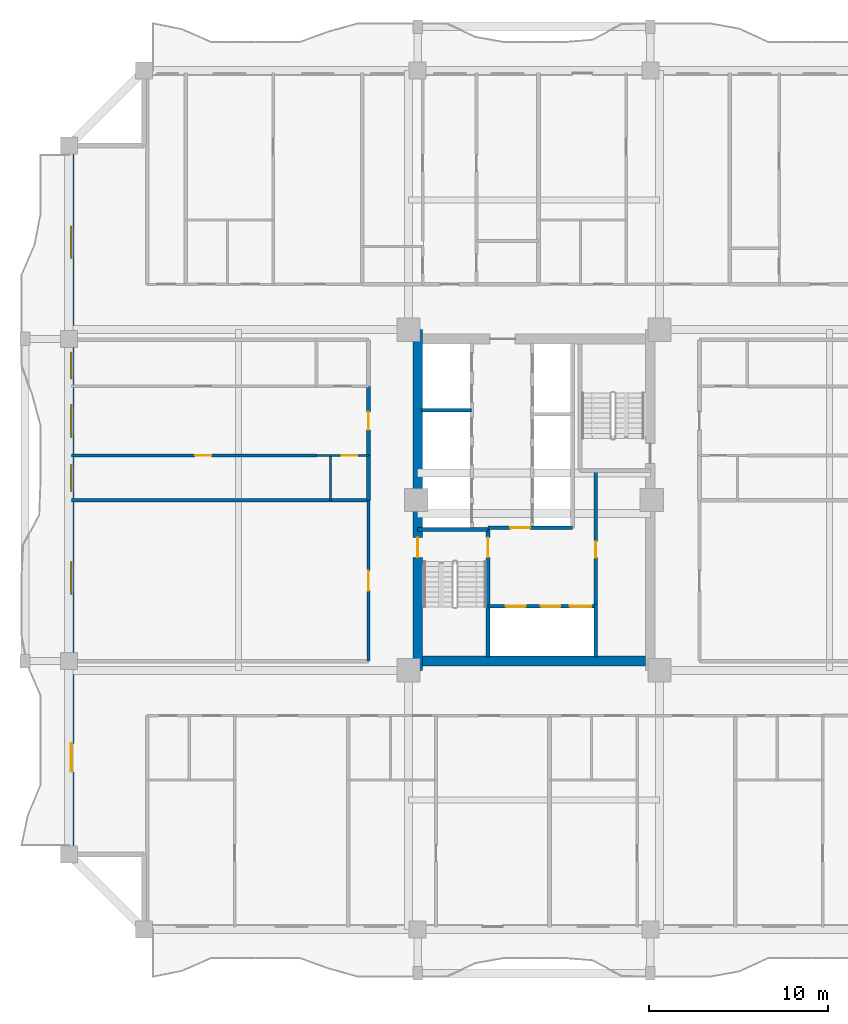
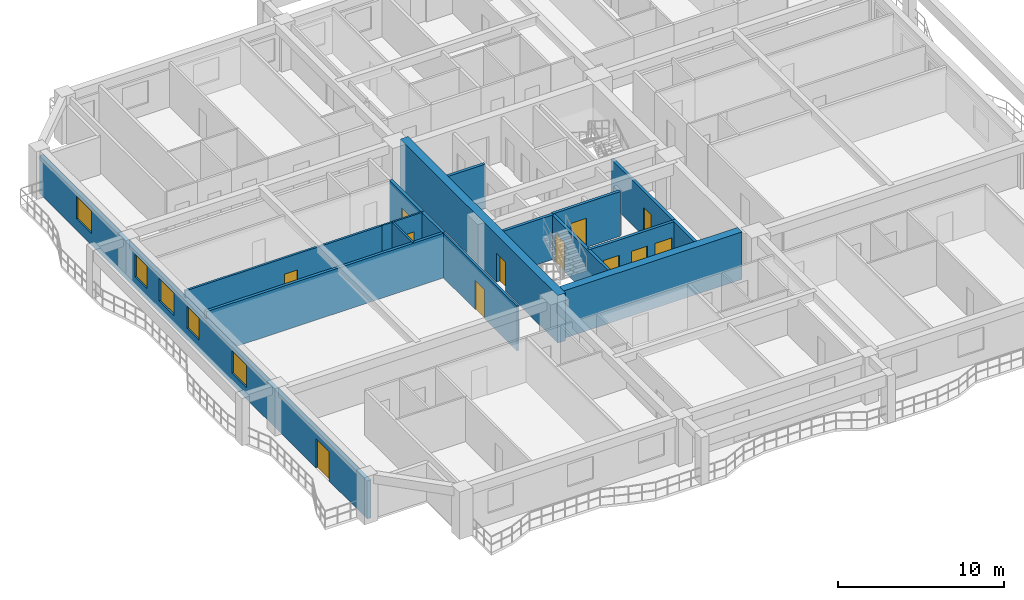
# One storey, part 3 of 17: 18 walls, 12 doors, 5 windows, 17 openings.
"""IFC4 building model written with IfcOpenShell, lengths in metres."""

from ifc_helpers import new_model, si_unit, direction, frame, frame_2d, origin, place, context, subcontext, project, spatial, rectangle, extrude, source, transform, mapped, material, layer, layer_set, type_object, element, fill, save


model = new_model("IFC4")

# Units and contexts
model_context = context("Model", 3, precision=1e-05, world=origin(), true_north=direction((0.0, 1.0)))
body_context = subcontext(model_context, "Body", "Model", "MODEL_VIEW")
ifc_project = project(units=[si_unit("LENGTHUNIT", "METRE"), si_unit("AREAUNIT", "SQUARE_METRE"), si_unit("VOLUMEUNIT", "CUBIC_METRE"), si_unit("PLANEANGLEUNIT", "RADIAN"), si_unit("MASSUNIT", "GRAM", prefix="KILO")], contexts=[model_context])

# Site, building, storey
site_placement = place(None, origin())
site = spatial("IfcSite", under=ifc_project, at=site_placement, CompositionType="ELEMENT")
building_placement = place(site_placement, origin())
building = spatial("IfcBuilding", under=site, at=building_placement, Name="Saelheon Loggia Tower", CompositionType="ELEMENT")
storey_placement = place(building_placement, frame((0.0, 0.0, 74.35009765625)))
storey = spatial("IfcBuildingStorey", under=building, at=storey_placement, Name="L23", CompositionType="ELEMENT", Elevation=74.35009765625)

# Wall, opening, door
ifc_material_1 = material(Name="Concrete C50/60", Category="concrete")
ifc_layer_1 = layer(ifc_material_1, 0.550048828125)
ifc_layer_set_1 = layer_set([ifc_layer_1], Name="Concrete C50/60")
wall_type_1 = type_object("IfcWallType", Name="Wall_CoreShear_550", PredefinedType="SHEAR", material=ifc_layer_set_1)
wall_1_placement = place(storey_placement, frame((31.5, 17.47998046875, 0.0), z_axis=(0.0, 0.0, 1.0), x_axis=(0.0, 1.0, 0.0)))
wall_1 = element("IfcWall", 1, at=wall_1_placement, inside=storey, type_object=wall_type_1, Name="L23 Core Shear Wall West", PredefinedType="SHEAR", context=body_context, shape_type="SweptSolid", body=[
    extrude(rectangle(XDim=19.0400390625, YDim=0.550048828125, at=frame_2d((9.52001953125, 0.0))), origin(), (0.0, 0.0, 1.0), 3.5),
])
opening_1_placement = place(wall_1_placement, frame((6.320068359375, 0.0, 0.0)))
opening_1 = element("IfcOpeningElement", 2, at=opening_1_placement, cuts=wall_1, Name="Opening D-FD2", PredefinedType="OPENING", context=body_context, shape_type="SweptSolid", body=[
    extrude(rectangle(XDim=1.10009765625, YDim=2.14990234375, at=frame_2d((0.550048828125, 1.074951171875))), frame((0.0, 0.287109375, 0.0), z_axis=(0.0, -1.0, 0.0), x_axis=(1.0, 0.0, 0.0)), (0.0, 0.0, 1.0), 0.573974609375),
])
ifc_material_2 = material(Name="Galvanised Steel Fire Door", Category="steel")
door_type_1 = type_object("IfcDoorType", Name="Door_Fire_FD60_1100", OperationType="NOTDEFINED", PredefinedType="DOOR", material=ifc_material_2)
shared_shape_1 = source(origin(), body_context, "Body", "SweptSolid", [
    extrude(rectangle(XDim=1.10009765625, YDim=2.14990234375, at=frame_2d((0.550048828125, 1.074951171875))), frame((0.0, 0.02490234375, 0.0), z_axis=(0.0, -1.0, 0.0), x_axis=(1.0, 0.0, 0.0)), (0.0, 0.0, 1.0), 0.050048828125),
])
door_1_placement = place(opening_1_placement, origin())
door_1 = element("IfcDoor", 3, at=door_1_placement, inside=storey, type_object=door_type_1, Name="L23 Stair ST1 Corridor Door", OperationType="SINGLE_SWING_LEFT", OverallHeight=2.14990234375, OverallWidth=1.10009765625, PredefinedType="DOOR", context=body_context, shape_type="MappedRepresentation", body=[
    mapped(shared_shape_1, transform((0.0, 0.0, 0.0), scale=1.0)),
])
fill(opening_1, door_1)

# Wall
wall_2_placement = place(storey_placement, frame((31.77490234375, 18.0, 0.0), z_axis=(0.0, 0.0, 1.0), x_axis=(1.0, 0.0, 0.0)))
element("IfcWall", 4, at=wall_2_placement, inside=storey, type_object=wall_type_1, Name="L23 Core Shear Wall South", PredefinedType="SHEAR", context=body_context, shape_type="SweptSolid", body=[
    extrude(rectangle(XDim=12.4501953125, YDim=0.550048828125, at=frame_2d((6.22509765625, 0.0))), origin(), (0.0, 0.0, 1.0), 3.5),
])

# Wall, openings, windows, door
ifc_material_3 = material(Name="Architectural Precast Concrete C40/50", Category="concrete")
ifc_layer_2 = layer(ifc_material_3, 0.280029296875)
ifc_layer_set_2 = layer_set([ifc_layer_2], Name="Architectural Precast Concrete C40/50")
wall_type_2 = type_object("IfcWallType", Name="Wall_Ext_Loggia_280", PredefinedType="SOLIDWALL", material=ifc_layer_set_2)
wall_3_placement = place(storey_placement, frame((12.139892578125, 7.199951171875, 0.0), z_axis=(0.0, 0.0, 1.0), x_axis=(0.0, 1.0, 0.0)))
wall_3 = element("IfcWall", 5, at=wall_3_placement, inside=storey, type_object=wall_type_2, Name="L23 West Loggia Inner Wall", PredefinedType="SOLIDWALL", context=body_context, shape_type="SweptSolid", body=[
    extrude(rectangle(XDim=39.60009765625, YDim=0.280029296875, at=frame_2d((19.800048828125, 0.0))), origin(), (0.0, 0.0, 1.0), 2.77978515625),
])
opening_2_placement = place(wall_3_placement, frame((4.60009765625, 0.0, 0.0)))
opening_2 = element("IfcOpeningElement", 6, at=opening_2_placement, cuts=wall_3, Name="Opening DLG-1", PredefinedType="OPENING", context=body_context, shape_type="SweptSolid", body=[
    extrude(rectangle(XDim=1.60009765625, YDim=2.14990234375, at=frame_2d((0.800048828125, 1.074951171875))), frame((0.0, 0.152099609375, 0.0), z_axis=(0.0, -1.0, 0.0), x_axis=(1.0, 0.0, 0.0)), (0.0, 0.0, 1.0), 0.303955078125),
])
opening_3_placement = place(wall_3_placement, frame((14.544921875, 0.0, 0.85009765625)))
opening_3 = element("IfcOpeningElement", 7, at=opening_3_placement, cuts=wall_3, Name="Opening WN-01", PredefinedType="OPENING", context=body_context, shape_type="SweptSolid", body=[
    extrude(rectangle(XDim=1.800048828125, YDim=1.64990234375, at=frame_2d((0.89990234375, 0.824951171875))), frame((0.0, 0.152099609375, 0.0), z_axis=(0.0, -1.0, 0.0), x_axis=(1.0, 0.0, 0.0)), (0.0, 0.0, 1.0), 0.303955078125),
])
opening_4_placement = place(wall_3_placement, frame((20.281494140625, 0.0, 0.85009765625)))
opening_4 = element("IfcOpeningElement", 8, at=opening_4_placement, cuts=wall_3, Name="Opening WN-02", PredefinedType="OPENING", context=body_context, shape_type="SweptSolid", body=[
    extrude(rectangle(XDim=1.5, YDim=1.64990234375, at=frame_2d((0.75, 0.824951171875))), frame((0.0, 0.152099609375, 0.0), z_axis=(0.0, -1.0, 0.0), x_axis=(1.0, 0.0, 0.0)), (0.0, 0.0, 1.0), 0.303955078125),
])
opening_5_placement = place(wall_3_placement, frame((23.319091796875, 0.0, 0.85009765625)))
opening_5 = element("IfcOpeningElement", 9, at=opening_5_placement, cuts=wall_3, Name="Opening WN-01", PredefinedType="OPENING", context=body_context, shape_type="SweptSolid", body=[
    extrude(rectangle(XDim=1.800048828125, YDim=1.64990234375, at=frame_2d((0.89990234375, 0.824951171875))), frame((0.0, 0.152099609375, 0.0), z_axis=(0.0, -1.0, 0.0), x_axis=(1.0, 0.0, 0.0)), (0.0, 0.0, 1.0), 0.303955078125),
])
opening_6_placement = place(wall_3_placement, frame((26.5673828125, 0.0, 0.85009765625)))
opening_6 = element("IfcOpeningElement", 10, at=opening_6_placement, cuts=wall_3, Name="Opening WN-02", PredefinedType="OPENING", context=body_context, shape_type="SweptSolid", body=[
    extrude(rectangle(XDim=1.5, YDim=1.64990234375, at=frame_2d((0.75, 0.824951171875))), frame((0.0, 0.152099609375, 0.0), z_axis=(0.0, -1.0, 0.0), x_axis=(1.0, 0.0, 0.0)), (0.0, 0.0, 1.0), 0.303955078125),
])
opening_7_placement = place(wall_3_placement, frame((33.300048828125, 0.0, 0.85009765625)))
opening_7 = element("IfcOpeningElement", 11, at=opening_7_placement, cuts=wall_3, Name="Opening WN-01", PredefinedType="OPENING", context=body_context, shape_type="SweptSolid", body=[
    extrude(rectangle(XDim=1.800048828125, YDim=1.64990234375, at=frame_2d((0.89990234375, 0.824951171875))), frame((0.0, 0.152099609375, 0.0), z_axis=(0.0, -1.0, 0.0), x_axis=(1.0, 0.0, 0.0)), (0.0, 0.0, 1.0), 0.303955078125),
])
ifc_material_4 = material(Name="Thermal-Break Aluminium and Triple Low-E Glass", Category="aluminium")
window_type_1 = type_object("IfcWindowType", Name="Win_Dwelling_1800x1650", PartitioningType="SINGLE_PANEL", PredefinedType="WINDOW", material=ifc_material_4)
shared_shape_2 = source(origin(), body_context, "Body", "SweptSolid", [
    extrude(rectangle(XDim=1.800048828125, YDim=1.64990234375, at=frame_2d((0.89990234375, 0.824951171875))), frame((0.0, 0.030029296875, 0.0), z_axis=(0.0, -1.0, 0.0), x_axis=(1.0, 0.0, 0.0)), (0.0, 0.0, 1.0), 0.06005859375),
])
window_1_placement = place(opening_3_placement, origin())
window_1 = element("IfcWindow", 12, at=window_1_placement, inside=storey, type_object=window_type_1, Name="L23 W Dwelling Window 2", OverallHeight=1.64990234375, OverallWidth=1.800048828125, PartitioningType="SINGLE_PANEL", PredefinedType="WINDOW", context=body_context, shape_type="MappedRepresentation", body=[
    mapped(shared_shape_2, transform((0.0, 0.0, 0.0), scale=1.0)),
])
fill(opening_3, window_1)
window_2_placement = place(opening_5_placement, origin())
window_2 = element("IfcWindow", 13, at=window_2_placement, inside=storey, type_object=window_type_1, Name="L23 W Dwelling Window 4", OverallHeight=1.64990234375, OverallWidth=1.800048828125, PartitioningType="SINGLE_PANEL", PredefinedType="WINDOW", context=body_context, shape_type="MappedRepresentation", body=[
    mapped(shared_shape_2, transform((0.0, 0.0, 0.0), scale=1.0)),
])
fill(opening_5, window_2)
window_3_placement = place(opening_7_placement, origin())
window_3 = element("IfcWindow", 14, at=window_3_placement, inside=storey, type_object=window_type_1, Name="L23 W Dwelling Window 6", OverallHeight=1.64990234375, OverallWidth=1.800048828125, PartitioningType="SINGLE_PANEL", PredefinedType="WINDOW", context=body_context, shape_type="MappedRepresentation", body=[
    mapped(shared_shape_2, transform((0.0, 0.0, 0.0), scale=1.0)),
])
fill(opening_7, window_3)
ifc_material_5 = material(Name="Thermal-Break Aluminium Sliding Glazed Door", Category="aluminium")
door_type_2 = type_object("IfcDoorType", Name="Door_LoggiaSlide_1600", OperationType="SLIDING_TO_LEFT", PredefinedType="DOOR", material=ifc_material_5)
shared_shape_3 = source(origin(), body_context, "Body", "SweptSolid", [
    extrude(rectangle(XDim=1.60009765625, YDim=2.14990234375, at=frame_2d((0.800048828125, 1.074951171875))), frame((0.0, 0.02490234375, 0.0), z_axis=(0.0, -1.0, 0.0), x_axis=(1.0, 0.0, 0.0)), (0.0, 0.0, 1.0), 0.050048828125),
])
door_2_placement = place(opening_2_placement, origin())
door_2 = element("IfcDoor", 15, at=door_2_placement, inside=storey, type_object=door_type_2, Name="L23 W Loggia Access Door", OperationType="SLIDING_TO_LEFT", OverallHeight=2.14990234375, OverallWidth=1.60009765625, PredefinedType="DOOR", context=body_context, shape_type="MappedRepresentation", body=[
    mapped(shared_shape_3, transform((0.0, 0.0, 0.0), scale=1.0)),
])
fill(opening_2, door_2)
window_type_2 = type_object("IfcWindowType", Name="Win_Dwelling_1500x1650", PartitioningType="SINGLE_PANEL", PredefinedType="WINDOW", material=ifc_material_4)
shared_shape_4 = source(origin(), body_context, "Body", "SweptSolid", [
    extrude(rectangle(XDim=1.5, YDim=1.64990234375, at=frame_2d((0.75, 0.824951171875))), frame((0.0, 0.030029296875, 0.0), z_axis=(0.0, -1.0, 0.0), x_axis=(1.0, 0.0, 0.0)), (0.0, 0.0, 1.0), 0.06005859375),
])
window_4_placement = place(opening_4_placement, origin())
window_4 = element("IfcWindow", 16, at=window_4_placement, inside=storey, type_object=window_type_2, Name="L23 W Dwelling Window 3", OverallHeight=1.64990234375, OverallWidth=1.5, PartitioningType="SINGLE_PANEL", PredefinedType="WINDOW", context=body_context, shape_type="MappedRepresentation", body=[
    mapped(shared_shape_4, transform((0.0, 0.0, 0.0), scale=1.0)),
])
fill(opening_4, window_4)
window_5_placement = place(opening_6_placement, origin())
window_5 = element("IfcWindow", 17, at=window_5_placement, inside=storey, type_object=window_type_2, Name="L23 W Dwelling Window 5", OverallHeight=1.64990234375, OverallWidth=1.5, PartitioningType="SINGLE_PANEL", PredefinedType="WINDOW", context=body_context, shape_type="MappedRepresentation", body=[
    mapped(shared_shape_4, transform((0.0, 0.0, 0.0), scale=1.0)),
])
fill(opening_6, window_5)

# Wall, opening, door
ifc_material_6 = material(Name="Lightweight Autoclaved Aerated Concrete Block and Acoustic Gypsum", Category="concrete")
ifc_layer_3 = layer(ifc_material_6, 0.14990234375)
ifc_layer_set_3 = layer_set([ifc_layer_3], Name="Lightweight Autoclaved Aerated Concrete Block and Acoustic Gypsum")
wall_type_3 = type_object("IfcWallType", Name="Wall_Part_150", PredefinedType="PARTITIONING", material=ifc_layer_set_3)
wall_4_placement = place(storey_placement, frame((28.75, 18.0, 0.0), z_axis=(0.0, 0.0, 1.0), x_axis=(0.0, 1.0, 0.0)))
wall_4 = element("IfcWall", 18, at=wall_4_placement, inside=storey, type_object=wall_type_3, Name="L23 W Partition V03", PredefinedType="PARTITIONING", context=body_context, shape_type="SweptSolid", body=[
    extrude(rectangle(XDim=8.97509765625, YDim=0.14990234375, at=frame_2d((4.487548828125, 0.0))), origin(), (0.0, 0.0, 1.0), 3.289794921875),
])
opening_8_placement = place(wall_4_placement, frame((3.9375, 0.0, 0.0)))
opening_8 = element("IfcOpeningElement", 19, at=opening_8_placement, cuts=wall_4, Name="Opening D-FD2", PredefinedType="OPENING", context=body_context, shape_type="SweptSolid", body=[
    extrude(rectangle(XDim=1.10009765625, YDim=2.14990234375, at=frame_2d((0.550048828125, 1.074951171875))), frame((0.0, 0.0869140625, 0.0), z_axis=(0.0, -1.0, 0.0), x_axis=(1.0, 0.0, 0.0)), (0.0, 0.0, 1.0), 0.173828125),
])
door_3_placement = place(opening_8_placement, origin())
door_3 = element("IfcDoor", 20, at=door_3_placement, inside=storey, type_object=door_type_1, Name="L23 Resident Fitness Gymnasium Door A", OperationType="SINGLE_SWING_LEFT", OverallHeight=2.14990234375, OverallWidth=1.10009765625, PredefinedType="DOOR", context=body_context, shape_type="MappedRepresentation", body=[
    mapped(shared_shape_1, transform((0.0, 0.0, 0.0), scale=1.0)),
])
fill(opening_8, door_3)

wall_5_placement = place(storey_placement, frame((25.85009765625, 29.488037109375, 0.0), z_axis=(0.0, 0.0, 1.0), x_axis=(-1.0, 0.0, 0.0)))
wall_5 = element("IfcWall", 21, at=wall_5_placement, inside=storey, type_object=wall_type_3, Name="L23 W Partition U12", PredefinedType="PARTITIONING", context=body_context, shape_type="SweptSolid", body=[
    extrude(rectangle(XDim=13.7001953125, YDim=0.14990234375, at=frame_2d((6.85009765625, 0.0))), origin(), (0.0, 0.0, 1.0), 3.289794921875),
])
opening_9_placement = place(wall_5_placement, frame((5.88671875, 0.0, 0.0)))
opening_9 = element("IfcOpeningElement", 22, at=opening_9_placement, cuts=wall_5, Name="Opening D-IN2", PredefinedType="OPENING", context=body_context, shape_type="SweptSolid", body=[
    extrude(rectangle(XDim=0.89990234375, YDim=2.10009765625, at=frame_2d((0.449951171875, 1.050048828125))), frame((0.0, 0.0869140625, 0.0), z_axis=(0.0, -1.0, 0.0), x_axis=(1.0, 0.0, 0.0)), (0.0, 0.0, 1.0), 0.173828125),
])
ifc_material_7 = material(Name="Engineered Oak Flush Door", Category="timber")
door_type_3 = type_object("IfcDoorType", Name="Door_Int_900", OperationType="NOTDEFINED", PredefinedType="DOOR", material=ifc_material_7)
shared_shape_5 = source(origin(), body_context, "Body", "SweptSolid", [
    extrude(rectangle(XDim=0.89990234375, YDim=2.10009765625, at=frame_2d((0.449951171875, 1.050048828125))), frame((0.0, 0.02490234375, 0.0), z_axis=(0.0, -1.0, 0.0), x_axis=(1.0, 0.0, 0.0)), (0.0, 0.0, 1.0), 0.050048828125),
])
door_4_placement = place(opening_9_placement, origin())
door_4 = element("IfcDoor", 23, at=door_4_placement, inside=storey, type_object=door_type_3, Name="Unit U03 Kitchen Door", OperationType="SINGLE_SWING_RIGHT", OverallHeight=2.10009765625, OverallWidth=0.89990234375, PredefinedType="DOOR", context=body_context, shape_type="MappedRepresentation", body=[
    mapped(shared_shape_5, transform((0.0, 0.0, 0.0), scale=1.0)),
])
fill(opening_9, door_4)

# Walls
ifc_material_8 = material(Name="Double Acoustic Stud and Fireboard Partition", Category="gypsum")
ifc_layer_4 = layer(ifc_material_8, 0.199951171875)
ifc_layer_set_4 = layer_set([ifc_layer_4], Name="Double Acoustic Stud and Fireboard Partition")
wall_type_4 = type_object("IfcWallType", Name="Wall_Party_200", PredefinedType="PARTITIONING", material=ifc_layer_set_4)
wall_6_placement = place(storey_placement, frame((28.75, 26.97509765625, 0.0), z_axis=(0.0, 0.0, 1.0), x_axis=(-1.0, 0.0, 0.0)))
element("IfcWall", 24, at=wall_6_placement, inside=storey, type_object=wall_type_4, Name="L23 W Partition U04", PredefinedType="PARTITIONING", context=body_context, shape_type="SweptSolid", body=[
    extrude(rectangle(XDim=16.60009765625, YDim=0.199951171875, at=frame_2d((8.300048828125, 0.0))), origin(), (0.0, 0.0, 1.0), 3.289794921875),
])
wall_7_placement = place(storey_placement, frame((28.75, 26.97509765625, 0.0), z_axis=(0.0, 0.0, 1.0), x_axis=(0.0, 1.0, 0.0)))
element("IfcWall", 25, at=wall_7_placement, inside=storey, type_object=wall_type_4, Name="L23 W Partition V05", PredefinedType="PARTITIONING", context=body_context, shape_type="SweptSolid", body=[
    extrude(rectangle(XDim=2.512939453125, YDim=0.199951171875, at=frame_2d((1.25634765625, 0.0))), origin(), (0.0, 0.0, 1.0), 3.289794921875),
])

# Wall, opening, door
wall_8_placement = place(storey_placement, frame((28.75, 29.488037109375, 0.0), z_axis=(0.0, 0.0, 1.0), x_axis=(0.0, 1.0, 0.0)))
wall_8 = element("IfcWall", 26, at=wall_8_placement, inside=storey, type_object=wall_type_4, Name="L23 W Partition V06", PredefinedType="PARTITIONING", context=body_context, shape_type="SweptSolid", body=[
    extrude(rectangle(XDim=3.862060546875, YDim=0.199951171875, at=frame_2d((1.93115234375, 0.0))), origin(), (0.0, 0.0, 1.0), 3.289794921875),
])
opening_10_placement = place(wall_8_placement, frame((1.430908203125, 0.0, 0.0)))
opening_10 = element("IfcOpeningElement", 27, at=opening_10_placement, cuts=wall_8, Name="Opening D-FD1", PredefinedType="OPENING", context=body_context, shape_type="SweptSolid", body=[
    extrude(rectangle(XDim=1.0, YDim=2.14990234375, at=frame_2d((0.5, 1.074951171875))), frame((0.0, 0.112060546875, 0.0), z_axis=(0.0, -1.0, 0.0), x_axis=(1.0, 0.0, 0.0)), (0.0, 0.0, 1.0), 0.223876953125),
])
ifc_material_9 = material(Name="Fire-Rated Engineered Timber Entrance Door", Category="wood")
door_type_4 = type_object("IfcDoorType", Name="Door_Flat_FD30S", OperationType="NOTDEFINED", PredefinedType="DOOR", material=ifc_material_9)
shared_shape_6 = source(origin(), body_context, "Body", "SweptSolid", [
    extrude(rectangle(XDim=1.0, YDim=2.14990234375, at=frame_2d((0.5, 1.074951171875))), frame((0.0, 0.02490234375, 0.0), z_axis=(0.0, -1.0, 0.0), x_axis=(1.0, 0.0, 0.0)), (0.0, 0.0, 1.0), 0.050048828125),
])
door_5_placement = place(opening_10_placement, origin())
door_5 = element("IfcDoor", 28, at=door_5_placement, inside=storey, type_object=door_type_4, Name="Unit U03 Entrance Door", OperationType="SINGLE_SWING_RIGHT", OverallHeight=2.14990234375, OverallWidth=1.0, PredefinedType="DOOR", context=body_context, shape_type="MappedRepresentation", body=[
    mapped(shared_shape_6, transform((0.0, 0.0, 0.0), scale=1.0)),
])
fill(opening_10, door_5)

# Wall
ifc_material_10 = material(Name="Concrete C40/50", Category="concrete")
ifc_layer_5 = layer(ifc_material_10, 0.199951171875)
ifc_layer_set_5 = layer_set([ifc_layer_5], Name="Concrete C40/50")
wall_type_5 = type_object("IfcWallType", Name="Wall_Shaft_200", PredefinedType="PARTITIONING", material=ifc_layer_set_5)
wall_9_placement = place(storey_placement, frame((41.449951171875, 18.219970703125, 0.0), z_axis=(0.0, 0.0, 1.0), x_axis=(0.0, 1.0, 0.0)))
element("IfcWall", 29, at=wall_9_placement, inside=storey, type_object=wall_type_5, Name="CW-INT-L23-BOH-W0", PredefinedType="PARTITIONING", context=body_context, shape_type="SweptSolid", body=[
    extrude(rectangle(XDim=2.9599609375, YDim=0.199951171875, at=frame_2d((1.47998046875, 0.0))), origin(), (0.0, 0.0, 1.0), 3.289794921875),
])

# Wall, opening, door
wall_10_placement = place(storey_placement, frame((41.449951171875, 21.179931640625, 0.0), z_axis=(0.0, 0.0, 1.0), x_axis=(0.0, 1.0, 0.0)))
wall_10 = element("IfcWall", 30, at=wall_10_placement, inside=storey, type_object=wall_type_5, Name="CW-INT-L23-BOH-W1", PredefinedType="PARTITIONING", context=body_context, shape_type="SweptSolid", body=[
    extrude(rectangle(XDim=7.420166015625, YDim=0.199951171875, at=frame_2d((3.7099609375, 0.0))), origin(), (0.0, 0.0, 1.0), 3.289794921875),
])
opening_11_placement = place(wall_10_placement, frame((2.60009765625, 0.0, 0.0)))
opening_11 = element("IfcOpeningElement", 31, at=opening_11_placement, cuts=wall_10, Name="Opening D-RS1", PredefinedType="OPENING", context=body_context, shape_type="SweptSolid", body=[
    extrude(rectangle(XDim=0.89990234375, YDim=2.10009765625, at=frame_2d((0.449951171875, 1.050048828125))), frame((0.0, 0.112060546875, 0.0), z_axis=(0.0, -1.0, 0.0), x_axis=(1.0, 0.0, 0.0)), (0.0, 0.0, 1.0), 0.223876953125),
])
ifc_material_11 = material(Name="Galvanised Steel Riser Access Door", Category="steel")
door_type_5 = type_object("IfcDoorType", Name="Door_Riser_FD60", OperationType="NOTDEFINED", PredefinedType="DOOR", material=ifc_material_11)
door_6_placement = place(opening_11_placement, origin())
door_6 = element("IfcDoor", 32, at=door_6_placement, inside=storey, type_object=door_type_5, Name="L23 Core Service Store Door", OperationType="SINGLE_SWING_LEFT", OverallHeight=2.10009765625, OverallWidth=0.89990234375, PredefinedType="DOOR", context=body_context, shape_type="MappedRepresentation", body=[
    mapped(shared_shape_5, transform((0.0, 0.0, 0.0), scale=1.0)),
])
fill(opening_11, door_6)

# Wall, openings, doors
wall_11_placement = place(storey_placement, frame((35.429931640625, 21.06005859375, 0.0), z_axis=(0.0, 0.0, 1.0), x_axis=(1.0, 0.0, 0.0)))
wall_11 = element("IfcWall", 33, at=wall_11_placement, inside=storey, type_object=wall_type_5, Name="L23 Firefighting Lift Shaft Front Wall", PredefinedType="PARTITIONING", context=body_context, shape_type="SweptSolid", body=[
    extrude(rectangle(XDim=6.02001953125, YDim=0.199951171875, at=frame_2d((3.010009765625, 0.0))), origin(), (0.0, 0.0, 1.0), 3.289794921875),
])
opening_12_placement = place(wall_11_placement, frame((1.0, 0.0, 0.0)))
opening_12 = element("IfcOpeningElement", 34, at=opening_12_placement, cuts=wall_11, Name="Opening LD2", PredefinedType="OPENING", context=body_context, shape_type="SweptSolid", body=[
    extrude(rectangle(XDim=1.10009765625, YDim=2.14990234375, at=frame_2d((0.550048828125, 1.074951171875))), frame((0.0, 0.112060546875, 0.0), z_axis=(0.0, -1.0, 0.0), x_axis=(1.0, 0.0, 0.0)), (0.0, 0.0, 1.0), 0.223876953125),
])
opening_13_placement = place(wall_11_placement, frame((2.949951171875, 0.0, 0.0)))
opening_13 = element("IfcOpeningElement", 35, at=opening_13_placement, cuts=wall_11, Name="Opening LD2", PredefinedType="OPENING", context=body_context, shape_type="SweptSolid", body=[
    extrude(rectangle(XDim=1.10009765625, YDim=2.14990234375, at=frame_2d((0.550048828125, 1.074951171875))), frame((0.0, 0.112060546875, 0.0), z_axis=(0.0, -1.0, 0.0), x_axis=(1.0, 0.0, 0.0)), (0.0, 0.0, 1.0), 0.223876953125),
])
opening_14_placement = place(wall_11_placement, frame((4.580078125, 0.0, 0.0)))
opening_14 = element("IfcOpeningElement", 36, at=opening_14_placement, cuts=wall_11, Name="Opening LD3", PredefinedType="OPENING", context=body_context, shape_type="SweptSolid", body=[
    extrude(rectangle(XDim=1.199951171875, YDim=2.14990234375, at=frame_2d((0.60009765625, 1.074951171875))), frame((0.0, 0.112060546875, 0.0), z_axis=(0.0, -1.0, 0.0), x_axis=(1.0, 0.0, 0.0)), (0.0, 0.0, 1.0), 0.223876953125),
])
ifc_material_12 = material(Name="Firefighting Stainless Steel 316 Landing Door", Category="steel")
door_type_6 = type_object("IfcDoorType", Name="Door_Lift_LD2", OperationType="DOUBLE_DOOR_SLIDING", PredefinedType="DOOR", material=ifc_material_12)
door_7_placement = place(opening_12_placement, origin())
door_7 = element("IfcDoor", 37, at=door_7_placement, inside=storey, type_object=door_type_6, Name="L23 FF1 Landing Door", OperationType="DOUBLE_DOOR_SLIDING", OverallHeight=2.14990234375, OverallWidth=1.10009765625, PredefinedType="DOOR", context=body_context, shape_type="MappedRepresentation", body=[
    mapped(shared_shape_1, transform((0.0, 0.0, 0.0), scale=1.0)),
])
fill(opening_12, door_7)
door_8_placement = place(opening_13_placement, origin())
door_8 = element("IfcDoor", 38, at=door_8_placement, inside=storey, type_object=door_type_6, Name="L23 FF2 Landing Door", OperationType="DOUBLE_DOOR_SLIDING", OverallHeight=2.14990234375, OverallWidth=1.10009765625, PredefinedType="DOOR", context=body_context, shape_type="MappedRepresentation", body=[
    mapped(shared_shape_1, transform((0.0, 0.0, 0.0), scale=1.0)),
])
fill(opening_13, door_8)
ifc_material_13 = material(Name="Stretcher Lift Stainless Steel 304 Landing Door", Category="steel")
door_type_7 = type_object("IfcDoorType", Name="Door_Lift_LD3", OperationType="DOUBLE_DOOR_SLIDING", PredefinedType="DOOR", material=ifc_material_13)
shared_shape_7 = source(origin(), body_context, "Body", "SweptSolid", [
    extrude(rectangle(XDim=1.199951171875, YDim=2.14990234375, at=frame_2d((0.60009765625, 1.074951171875))), frame((0.0, 0.02490234375, 0.0), z_axis=(0.0, -1.0, 0.0), x_axis=(1.0, 0.0, 0.0)), (0.0, 0.0, 1.0), 0.050048828125),
])
door_9_placement = place(opening_14_placement, origin())
door_9 = element("IfcDoor", 39, at=door_9_placement, inside=storey, type_object=door_type_7, Name="L23 SV1 Landing Door", OperationType="DOUBLE_DOOR_SLIDING", OverallHeight=2.14990234375, OverallWidth=1.199951171875, PredefinedType="DOOR", context=body_context, shape_type="MappedRepresentation", body=[
    mapped(shared_shape_7, transform((0.0, 0.0, 0.0), scale=1.0)),
])
fill(opening_14, door_9)

# Wall, opening, door
wall_12_placement = place(storey_placement, frame((35.429931640625, 25.43994140625, 0.0), z_axis=(0.0, 0.0, 1.0), x_axis=(1.0, 0.0, 0.0)))
wall_12 = element("IfcWall", 40, at=wall_12_placement, inside=storey, type_object=wall_type_5, Name="L23 Firefighting Lobby Compartment Wall", PredefinedType="PARTITIONING", context=body_context, shape_type="SweptSolid", body=[
    extrude(rectangle(XDim=4.719970703125, YDim=0.199951171875, at=frame_2d((2.35986328125, 0.0))), origin(), (0.0, 0.0, 1.0), 3.289794921875),
])
opening_15_placement = place(wall_12_placement, frame((1.25, 0.0, 0.0)))
opening_15 = element("IfcOpeningElement", 41, at=opening_15_placement, cuts=wall_12, Name="Opening D-FD2", PredefinedType="OPENING", context=body_context, shape_type="SweptSolid", body=[
    extrude(rectangle(XDim=1.10009765625, YDim=2.14990234375, at=frame_2d((0.550048828125, 1.074951171875))), frame((0.0, 0.112060546875, 0.0), z_axis=(0.0, -1.0, 0.0), x_axis=(1.0, 0.0, 0.0)), (0.0, 0.0, 1.0), 0.223876953125),
])
door_10_placement = place(opening_15_placement, origin())
door_10 = element("IfcDoor", 42, at=door_10_placement, inside=storey, type_object=door_type_1, Name="L23 Firefighting Lobby Door", OperationType="SINGLE_SWING_RIGHT", OverallHeight=2.14990234375, OverallWidth=1.10009765625, PredefinedType="DOOR", context=body_context, shape_type="MappedRepresentation", body=[
    mapped(shared_shape_1, transform((0.0, 0.0, 0.0), scale=1.0)),
])
fill(opening_15, door_10)

# Wall
wall_13_placement = place(storey_placement, frame((31.719970703125, 32.02001953125, 0.0), z_axis=(0.0, 0.0, 1.0), x_axis=(1.0, 0.0, 0.0)))
element("IfcWall", 43, at=wall_13_placement, inside=storey, type_object=wall_type_5, Name="L23 West High-Rise Shaft Divider", PredefinedType="PARTITIONING", context=body_context, shape_type="SweptSolid", body=[
    extrude(rectangle(XDim=2.800048828125, YDim=0.199951171875, at=frame_2d((1.39990234375, 0.0))), origin(), (0.0, 0.0, 1.0), 3.289794921875),
])

# Wall, opening, door
ifc_material_14 = material(Name="Concrete C45/55", Category="concrete")
ifc_layer_6 = layer(ifc_material_14, 0.199951171875)
ifc_layer_set_6 = layer_set([ifc_layer_6], Name="Concrete C45/55")
wall_type_6 = type_object("IfcWallType", Name="Wall_StairShaft_RC200", PredefinedType="SOLIDWALL", material=ifc_layer_set_6)
wall_14_placement = place(storey_placement, frame((35.429931640625, 18.219970703125, 0.0), z_axis=(0.0, 0.0, 1.0), x_axis=(0.0, 1.0, 0.0)))
wall_14 = element("IfcWall", 44, at=wall_14_placement, inside=storey, type_object=wall_type_6, Name="L23 Stair ST1 Shaft Wall", PredefinedType="SOLIDWALL", context=body_context, shape_type="SweptSolid", body=[
    extrude(rectangle(XDim=7.219970703125, YDim=0.199951171875, at=frame_2d((3.60986328125, 0.0))), origin(), (0.0, 0.0, 1.0), 3.289794921875),
])
opening_16_placement = place(wall_14_placement, frame((6.68017578125, 0.0, 0.0), z_axis=(0.0, 0.0, 1.0), x_axis=(-1.0, 0.0, 0.0)))
opening_16 = element("IfcOpeningElement", 45, at=opening_16_placement, cuts=wall_14, Name="Opening D-FD2", PredefinedType="OPENING", context=body_context, shape_type="SweptSolid", body=[
    extrude(rectangle(XDim=1.10009765625, YDim=2.14990234375, at=frame_2d((0.550048828125, 1.074951171875))), frame((0.0, 0.112060546875, 0.0), z_axis=(0.0, -1.0, 0.0), x_axis=(1.0, 0.0, 0.0)), (0.0, 0.0, 1.0), 0.223876953125),
])
door_11_placement = place(opening_16_placement, origin())
door_11 = element("IfcDoor", 46, at=door_11_placement, inside=storey, type_object=door_type_1, Name="L23 Stair ST1 Lobby Door", OperationType="SINGLE_SWING_LEFT", OverallHeight=2.14990234375, OverallWidth=1.10009765625, PredefinedType="DOOR", context=body_context, shape_type="MappedRepresentation", body=[
    mapped(shared_shape_1, transform((0.0, 0.0, 0.0), scale=1.0)),
])
fill(opening_16, door_11)

# Walls
wall_15_placement = place(storey_placement, frame((31.5, 25.35009765625, 0.0), z_axis=(0.0, 0.0, 1.0), x_axis=(1.0, 0.0, 0.0)))
element("IfcWall", 47, at=wall_15_placement, inside=storey, type_object=wall_type_6, Name="L23 Stair ST1 North Wall", PredefinedType="SOLIDWALL", context=body_context, shape_type="SweptSolid", body=[
    extrude(rectangle(XDim=3.929931640625, YDim=0.199951171875, at=frame_2d((1.96484375, 0.0))), origin(), (0.0, 0.0, 1.0), 3.289794921875),
])
ifc_material_15 = material(Name="Moisture-Resistant Cement Board Partition", Category="gypsum")
ifc_layer_7 = layer(ifc_material_15, 0.1201171875)
ifc_layer_set_7 = layer_set([ifc_layer_7], Name="Moisture-Resistant Cement Board Partition")
wall_type_7 = type_object("IfcWallType", Name="Wall_WetPart_120", PredefinedType="PARTITIONING", material=ifc_layer_set_7)
wall_16_placement = place(storey_placement, frame((26.6298828125, 26.97509765625, 0.0), z_axis=(0.0, 0.0, 1.0), x_axis=(0.0, 1.0, 0.0)))
element("IfcWall", 48, at=wall_16_placement, inside=storey, type_object=wall_type_7, Name="L23 W Partition V08", PredefinedType="PARTITIONING", context=body_context, shape_type="SweptSolid", body=[
    extrude(rectangle(XDim=2.512939453125, YDim=0.1201171875, at=frame_2d((1.25634765625, 0.0))), origin(), (0.0, 0.0, 1.0), 3.289794921875),
])

# Wall, opening, door
wall_17_placement = place(storey_placement, frame((28.75, 29.488037109375, 0.0), z_axis=(0.0, 0.0, 1.0), x_axis=(-1.0, 0.0, 0.0)))
wall_17 = element("IfcWall", 49, at=wall_17_placement, inside=storey, type_object=wall_type_7, Name="L23 W Partition U10", PredefinedType="PARTITIONING", context=body_context, shape_type="SweptSolid", body=[
    extrude(rectangle(XDim=2.1201171875, YDim=0.1201171875, at=frame_2d((1.06005859375, 0.0))), origin(), (0.0, 0.0, 1.0), 3.289794921875),
])
opening_17_placement = place(wall_17_placement, frame((0.635009765625, 0.0, 0.0)))
opening_17 = element("IfcOpeningElement", 50, at=opening_17_placement, cuts=wall_17, Name="Opening D-BT1", PredefinedType="OPENING", context=body_context, shape_type="SweptSolid", body=[
    extrude(rectangle(XDim=0.85009765625, YDim=2.050048828125, at=frame_2d((0.425048828125, 1.02490234375))), frame((0.0, 0.072021484375, 0.0), z_axis=(0.0, -1.0, 0.0), x_axis=(1.0, 0.0, 0.0)), (0.0, 0.0, 1.0), 0.14404296875),
])
ifc_material_16 = material(Name="Moisture-Resistant Laminate Timber Door", Category="wood")
door_type_8 = type_object("IfcDoorType", Name="Door_Bath_850", OperationType="NOTDEFINED", PredefinedType="DOOR", material=ifc_material_16)
shared_shape_8 = source(origin(), body_context, "Body", "SweptSolid", [
    extrude(rectangle(XDim=0.85009765625, YDim=2.050048828125, at=frame_2d((0.425048828125, 1.02490234375))), frame((0.0, 0.02490234375, 0.0), z_axis=(0.0, -1.0, 0.0), x_axis=(1.0, 0.0, 0.0)), (0.0, 0.0, 1.0), 0.050048828125),
])
door_12_placement = place(opening_17_placement, origin())
door_12 = element("IfcDoor", 51, at=door_12_placement, inside=storey, type_object=door_type_8, Name="Unit U03 Bathroom Door", OperationType="SINGLE_SWING_LEFT", OverallHeight=2.050048828125, OverallWidth=0.85009765625, PredefinedType="DOOR", context=body_context, shape_type="MappedRepresentation", body=[
    mapped(shared_shape_8, transform((0.0, 0.0, 0.0), scale=1.0)),
])
fill(opening_17, door_12)

# Wall
wall_18_placement = place(storey_placement, frame((26.6298828125, 29.488037109375, 0.0), z_axis=(0.0, 0.0, 1.0), x_axis=(-1.0, 0.0, 0.0)))
element("IfcWall", 52, at=wall_18_placement, inside=storey, type_object=wall_type_7, Name="L23 W Partition U11", PredefinedType="PARTITIONING", context=body_context, shape_type="SweptSolid", body=[
    extrude(rectangle(XDim=0.77978515625, YDim=0.1201171875, at=frame_2d((0.389892578125, 0.0))), origin(), (0.0, 0.0, 1.0), 3.289794921875),
])

save(model, "model.ifc")
